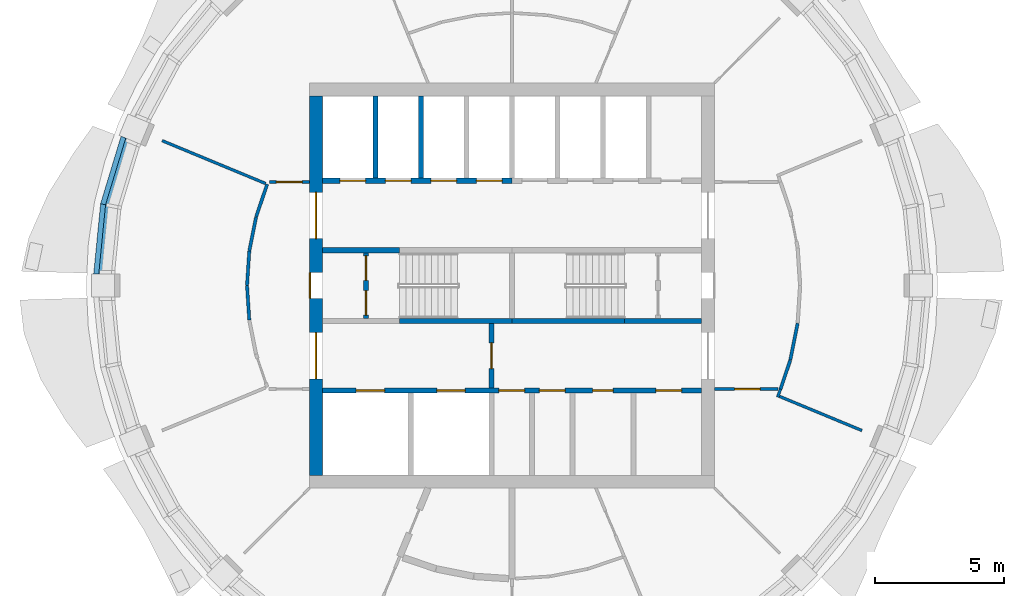
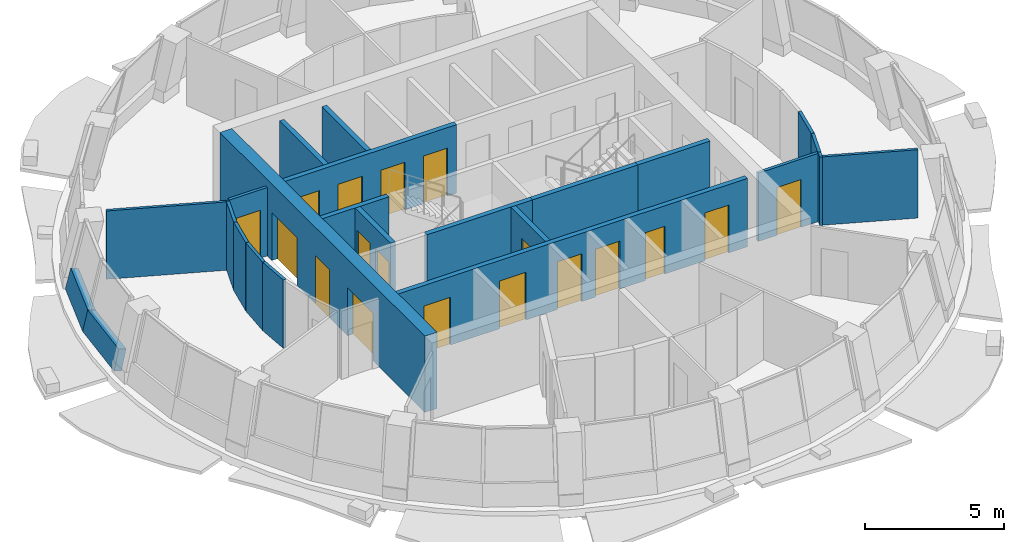
# One storey, part 5 of 11: 24 walls, 18 doors, 18 openings.
"""IFC4 building model written with IfcOpenShell, lengths in metres."""

from ifc_helpers import new_model, si_unit, direction, frame, frame_2d, origin, place, context, subcontext, project, spatial, polyline, rectangle, outline, extrude, material, layer, layer_set, type_object, element, fill, save


model = new_model("IFC4")

# Units and contexts
model_context = context("Model", 3, precision=1e-05, world=origin(), true_north=direction((0.0, 1.0)))
body_context = subcontext(model_context, "Body", "Model", "MODEL_VIEW")
ifc_project = project(units=[si_unit("LENGTHUNIT", "METRE"), si_unit("AREAUNIT", "SQUARE_METRE"), si_unit("VOLUMEUNIT", "CUBIC_METRE"), si_unit("PLANEANGLEUNIT", "RADIAN"), si_unit("MASSUNIT", "GRAM", prefix="KILO")], contexts=[model_context])

# Site, building, storey
site_placement = place(None, origin())
site = spatial("IfcSite", under=ifc_project, at=site_placement, CompositionType="ELEMENT")
building_placement = place(site_placement, origin())
building = spatial("IfcBuilding", under=site, at=building_placement, Name="Polderwave Tower", CompositionType="ELEMENT")
storey_placement = place(building_placement, frame((0.0, 0.0, 214.449951171875)))
storey = spatial("IfcBuildingStorey", under=building, at=storey_placement, Name="L58", CompositionType="ELEMENT", Elevation=214.449951171875)

# Wall, openings, doors
ifc_material_1 = material(Name="Concrete C60/75", Category="concrete")
ifc_layer_1 = layer(ifc_material_1, 0.5)
ifc_layer_set_1 = layer_set([ifc_layer_1], Name="CORE WALL 500 C60/75")
wall_type_1 = type_object("IfcWallType", Name="CORE WALL 500 C60/75", PredefinedType="SHEAR", material=ifc_layer_set_1)
wall_1_placement = place(storey_placement, frame((-7.6240234375, -7.3740234375, 0.0), z_axis=(0.0, 0.0, 1.0), x_axis=(0.0, 1.0, 0.0)))
wall_1 = element("IfcWall", 1, at=wall_1_placement, inside=storey, type_object=wall_type_1, Name="ST-CORE-L58-W", PredefinedType="SHEAR", context=body_context, shape_type="SweptSolid", body=[
    extrude(rectangle(XDim=14.748046875, YDim=0.5, at=frame_2d((7.3740234375, 0.0))), origin(), (0.0, 0.0, 1.0), 3.35009765625),
])
opening_1_placement = place(wall_1_placement, frame((6.8740234375, 0.0, 0.0)))
opening_1 = element("IfcOpeningElement", 2, at=opening_1_placement, cuts=wall_1, Name="Opening L58-D20", PredefinedType="OPENING", context=body_context, shape_type="SweptSolid", body=[
    extrude(rectangle(XDim=1.0, YDim=2.10009765625, at=frame_2d((0.5, 1.050048828125))), frame((0.0, 0.260009765625, 0.0), z_axis=(0.0, -1.0, 0.0), x_axis=(1.0, 0.0, 0.0)), (0.0, 0.0, 1.0), 0.52001953125),
])
opening_2_placement = place(wall_1_placement, frame((3.74951171875, 0.0, 0.0)))
opening_2 = element("IfcOpeningElement", 3, at=opening_2_placement, cuts=wall_1, Name="Opening L58-D21", PredefinedType="OPENING", context=body_context, shape_type="SweptSolid", body=[
    extrude(rectangle(XDim=1.800048828125, YDim=2.10009765625, at=frame_2d((0.89990234375, 1.050048828125))), frame((0.0, 0.260009765625, 0.0), z_axis=(0.0, -1.0, 0.0), x_axis=(1.0, 0.0, 0.0)), (0.0, 0.0, 1.0), 0.52001953125),
])
opening_3_placement = place(wall_1_placement, frame((9.198486328125, 0.0, 0.0)))
opening_3 = element("IfcOpeningElement", 4, at=opening_3_placement, cuts=wall_1, Name="Opening L58-D22", PredefinedType="OPENING", context=body_context, shape_type="SweptSolid", body=[
    extrude(rectangle(XDim=1.800048828125, YDim=2.10009765625, at=frame_2d((0.89990234375, 1.050048828125))), frame((0.0, 0.260009765625, 0.0), z_axis=(0.0, -1.0, 0.0), x_axis=(1.0, 0.0, 0.0)), (0.0, 0.0, 1.0), 0.52001953125),
])
ifc_material_2 = material(Name="Steel fire door", Category="steel")
door_type_1 = type_object("IfcDoorType", Name="Lobby entry door pair 1800", OperationType="DOUBLE_DOOR_SINGLE_SWING", PredefinedType="DOOR", material=ifc_material_2)
door_1_placement = place(opening_2_placement, origin())
door_1 = element("IfcDoor", 5, at=door_1_placement, inside=storey, type_object=door_type_1, Name="Fire-fighting lobby entry door", OperationType="DOUBLE_DOOR_SINGLE_SWING", OverallHeight=2.10009765625, OverallWidth=1.800048828125, PredefinedType="DOOR", context=body_context, shape_type="SweptSolid", body=[
    extrude(rectangle(XDim=1.800048828125, YDim=2.10009765625, at=frame_2d((0.89990234375, 1.050048828125))), frame((0.0, 0.02490234375, 0.0), z_axis=(0.0, -1.0, 0.0), x_axis=(1.0, 0.0, 0.0)), (0.0, 0.0, 1.0), 0.050048828125),
])
fill(opening_2, door_1)
door_2_placement = place(opening_3_placement, origin())
door_2 = element("IfcDoor", 6, at=door_2_placement, inside=storey, type_object=door_type_1, Name="North lobby entry door", OperationType="DOUBLE_DOOR_SINGLE_SWING", OverallHeight=2.10009765625, OverallWidth=1.800048828125, PredefinedType="DOOR", context=body_context, shape_type="SweptSolid", body=[
    extrude(rectangle(XDim=1.800048828125, YDim=2.10009765625, at=frame_2d((0.89990234375, 1.050048828125))), frame((0.0, 0.02490234375, 0.0), z_axis=(0.0, -1.0, 0.0), x_axis=(1.0, 0.0, 0.0)), (0.0, 0.0, 1.0), 0.050048828125),
])
fill(opening_3, door_2)
door_type_2 = type_object("IfcDoorType", Name="Stair door 1000", OperationType="NOTDEFINED", PredefinedType="DOOR", material=ifc_material_2)
door_3_placement = place(opening_1_placement, origin())
door_3 = element("IfcDoor", 7, at=door_3_placement, inside=storey, type_object=door_type_2, Name="Stair A entry door", OperationType="SINGLE_SWING_RIGHT", OverallHeight=2.10009765625, OverallWidth=1.0, PredefinedType="DOOR", context=body_context, shape_type="SweptSolid", body=[
    extrude(rectangle(XDim=1.0, YDim=2.10009765625, at=frame_2d((0.5, 1.050048828125))), frame((0.0, 0.25, 0.0), z_axis=(0.0, -1.0, 0.0), x_axis=(1.0, 0.0, 0.0)), (0.0, 0.0, 1.0), 0.050048828125),
])
fill(opening_1, door_3)

# Walls
ifc_material_3 = material(Name="Concrete C50/60 (board-marked)", Category="concrete")
ifc_layer_2 = layer(ifc_material_3, 0.300048828125)
ifc_layer_set_2 = layer_set([ifc_layer_2], Name="Concrete spandrel upstand C50/60")
wall_type_2 = type_object("IfcWallType", Name="Concrete spandrel upstand C50/60", PredefinedType="SOLIDWALL", material=ifc_layer_set_2)
wall_2_placement = place(storey_placement, frame((-15.1962890625, 5.8046875, 0.0), z_axis=(-0.935121689346, 0.283687617525, 0.212294045554), x_axis=(-0.290305949635, -0.956933882554, -5.166321e-06)))
element("IfcWall", 8, at=wall_2_placement, inside=storey, type_object=wall_type_2, Name="Spandrel L58 8a", PredefinedType="SOLIDWALL", context=body_context, shape_type="SweptSolid", body=[
    extrude(outline(polyline([(0.0, 0.0), (2.741370108362449, 5.551115123125783e-17), (2.721819555930654, 0.921157566446272), (0.01952543967357733, 0.9211287867171416), (0.0, 0.0)])), origin(), (0.0, 0.0, -1.0), 0.300048828125),
])
wall_3_placement = place(storey_placement, frame((-15.9921875, 3.181396484375, 0.0), z_axis=(-0.972452991972, 0.095777528292, 0.212513160717), x_axis=(-0.098017468169, -0.995184694371, -4.940706e-06)))
element("IfcWall", 9, at=wall_3_placement, inside=storey, type_object=wall_type_2, Name="Spandrel L58 8b", PredefinedType="SOLIDWALL", context=body_context, shape_type="SweptSolid", body=[
    extrude(outline(polyline([(0.0, 0.0), (2.7417239689303967, 6.938893903907228e-18), (2.7224319045439445, 0.9212018391941157), (0.019236323432608737, 0.921174308599514), (0.0, 0.0)])), origin(), (0.0, 0.0, -1.0), 0.300048828125),
])

# Wall, opening, door
ifc_material_4 = material(Name="Gypsum board partition")
ifc_layer_3 = layer(ifc_material_4, 0.199951171875)
ifc_layer_set_3 = layer_set([ifc_layer_3], Name="Core room partition 200")
wall_type_3 = type_object("IfcWallType", Name="Core room partition 200", PredefinedType="PARTITIONING", material=ifc_layer_set_3)
wall_4_placement = place(storey_placement, frame((-0.800048828125, -3.97412109375, 0.0), z_axis=(0.0, 0.0, 1.0), x_axis=(0.0, 1.0, 0.0)))
wall_4 = element("IfcWall", 10, at=wall_4_placement, inside=storey, type_object=wall_type_3, Name="L58 fire-fighting lobby wall", PredefinedType="PARTITIONING", context=body_context, shape_type="SweptSolid", body=[
    extrude(rectangle(XDim=2.4990234375, YDim=0.199951171875, at=frame_2d((1.24951171875, 0.0))), origin(), (0.0, 0.0, 1.0), 3.0),
])
opening_4_placement = place(wall_4_placement, frame((0.74951171875, 0.0, 0.0)))
opening_4 = element("IfcOpeningElement", 11, at=opening_4_placement, cuts=wall_4, Name="Opening L58-D14", PredefinedType="OPENING", context=body_context, shape_type="SweptSolid", body=[
    extrude(rectangle(XDim=1.0, YDim=2.10009765625, at=frame_2d((0.5, 1.050048828125))), frame((0.0, 0.10986328125, 0.0), z_axis=(0.0, -1.0, 0.0), x_axis=(1.0, 0.0, 0.0)), (0.0, 0.0, 1.0), 0.219970703125),
])
door_type_3 = type_object("IfcDoorType", Name="Lobby fire door 1000", OperationType="NOTDEFINED", PredefinedType="DOOR", material=ifc_material_2)
door_4_placement = place(opening_4_placement, frame((1.0, 0.0, 0.0), z_axis=(0.0, 0.0, 1.0), x_axis=(-1.0, 0.0, 0.0)))
door_4 = element("IfcDoor", 12, at=door_4_placement, inside=storey, type_object=door_type_3, Name="Fire-fighting lobby door", OperationType="SINGLE_SWING_LEFT", OverallHeight=2.10009765625, OverallWidth=1.0, PredefinedType="DOOR", context=body_context, shape_type="SweptSolid", body=[
    extrude(rectangle(XDim=1.0, YDim=2.10009765625, at=frame_2d((0.5, 1.050048828125))), frame((0.0, 0.02490234375, 0.0), z_axis=(0.0, -1.0, 0.0), x_axis=(1.0, 0.0, 0.0)), (0.0, 0.0, 1.0), 0.050048828125),
])
fill(opening_4, door_4)

# Wall, openings, doors
wall_5_placement = place(storey_placement, frame((-5.674072265625, -1.27490234375, 0.0), z_axis=(0.0, 0.0, 1.0), x_axis=(0.0, 1.0, 0.0)))
wall_5 = element("IfcWall", 13, at=wall_5_placement, inside=storey, type_object=wall_type_3, Name="L58 smoke lobby wall A", PredefinedType="PARTITIONING", context=body_context, shape_type="SweptSolid", body=[
    extrude(rectangle(XDim=2.5498046875, YDim=0.199951171875, at=frame_2d((1.27490234375, 0.0))), origin(), (0.0, 0.0, 1.0), 3.0),
])
opening_5_placement = place(wall_5_placement, frame((0.125, 0.0, 0.0)))
opening_5 = element("IfcOpeningElement", 14, at=opening_5_placement, cuts=wall_5, Name="Opening L58-D10", PredefinedType="OPENING", context=body_context, shape_type="SweptSolid", body=[
    extrude(rectangle(XDim=0.949951171875, YDim=2.10009765625, at=frame_2d((0.47509765625, 1.050048828125))), frame((0.0, 0.10986328125, 0.0), z_axis=(0.0, -1.0, 0.0), x_axis=(1.0, 0.0, 0.0)), (0.0, 0.0, 1.0), 0.219970703125),
])
opening_6_placement = place(wall_5_placement, frame((1.47509765625, 0.0, 0.0)))
opening_6 = element("IfcOpeningElement", 15, at=opening_6_placement, cuts=wall_5, Name="Opening L58-D11", PredefinedType="OPENING", context=body_context, shape_type="SweptSolid", body=[
    extrude(rectangle(XDim=0.949951171875, YDim=2.10009765625, at=frame_2d((0.47509765625, 1.050048828125))), frame((0.0, 0.10986328125, 0.0), z_axis=(0.0, -1.0, 0.0), x_axis=(1.0, 0.0, 0.0)), (0.0, 0.0, 1.0), 0.219970703125),
])
door_type_4 = type_object("IfcDoorType", Name="Smoke lobby door 950", OperationType="NOTDEFINED", PredefinedType="DOOR", material=ifc_material_2)
door_5_placement = place(opening_5_placement, origin())
door_5 = element("IfcDoor", 16, at=door_5_placement, inside=storey, type_object=door_type_4, Name="Stair A smoke lobby inner door", OperationType="SINGLE_SWING_LEFT", OverallHeight=2.10009765625, OverallWidth=0.949951171875, PredefinedType="DOOR", context=body_context, shape_type="SweptSolid", body=[
    extrude(rectangle(XDim=0.949951171875, YDim=2.10009765625, at=frame_2d((0.47509765625, 1.050048828125))), frame((0.0, 0.02490234375, 0.0), z_axis=(0.0, -1.0, 0.0), x_axis=(1.0, 0.0, 0.0)), (0.0, 0.0, 1.0), 0.050048828125),
])
fill(opening_5, door_5)
door_6_placement = place(opening_6_placement, origin())
door_6 = element("IfcDoor", 17, at=door_6_placement, inside=storey, type_object=door_type_4, Name="Stair A smoke lobby inner door", OperationType="SINGLE_SWING_RIGHT", OverallHeight=2.10009765625, OverallWidth=0.949951171875, PredefinedType="DOOR", context=body_context, shape_type="SweptSolid", body=[
    extrude(rectangle(XDim=0.949951171875, YDim=2.10009765625, at=frame_2d((0.47509765625, 1.050048828125))), frame((0.0, 0.02490234375, 0.0), z_axis=(0.0, -1.0, 0.0), x_axis=(1.0, 0.0, 0.0)), (0.0, 0.0, 1.0), 0.050048828125),
])
fill(opening_6, door_6)

ifc_material_5 = material(Name="Concrete C50/60", Category="concrete")
ifc_layer_4 = layer(ifc_material_5, 0.199951171875)
ifc_layer_set_4 = layer_set([ifc_layer_4], Name="Core web wall 200")
wall_type_4 = type_object("IfcWallType", Name="Core web wall 200", PredefinedType="SHEAR", material=ifc_layer_set_4)
wall_6_placement = place(storey_placement, frame((-7.3740234375, -4.073974609375, 0.0), z_axis=(0.0, 0.0, 1.0), x_axis=(1.0, 0.0, 0.0)))
wall_6 = element("IfcWall", 18, at=wall_6_placement, inside=storey, type_object=wall_type_4, Name="L58 south front wall", PredefinedType="SHEAR", context=body_context, shape_type="SweptSolid", body=[
    extrude(rectangle(XDim=14.748046875, YDim=0.199951171875, at=frame_2d((7.3740234375, 0.0))), origin(), (0.0, 0.0, 1.0), 3.0),
])
opening_7_placement = place(wall_6_placement, frame((1.318603515625, 0.0, 0.0)))
opening_7 = element("IfcOpeningElement", 19, at=opening_7_placement, cuts=wall_6, Name="Opening L58-D01", PredefinedType="OPENING", context=body_context, shape_type="SweptSolid", body=[
    extrude(rectangle(XDim=1.10009765625, YDim=2.10009765625, at=frame_2d((0.550048828125, 1.050048828125))), frame((0.0, 0.10986328125, 0.0), z_axis=(0.0, -1.0, 0.0), x_axis=(1.0, 0.0, 0.0)), (0.0, 0.0, 1.0), 0.219970703125),
])
opening_8_placement = place(wall_6_placement, frame((4.45556640625, 0.0, 0.0)))
opening_8 = element("IfcOpeningElement", 20, at=opening_8_placement, cuts=wall_6, Name="Opening L58-D02", PredefinedType="OPENING", context=body_context, shape_type="SweptSolid", body=[
    extrude(rectangle(XDim=1.10009765625, YDim=2.10009765625, at=frame_2d((0.550048828125, 1.050048828125))), frame((0.0, 0.10986328125, 0.0), z_axis=(0.0, -1.0, 0.0), x_axis=(1.0, 0.0, 0.0)), (0.0, 0.0, 1.0), 0.219970703125),
])
opening_9_placement = place(wall_6_placement, frame((6.8623046875, 0.0, 0.0)))
opening_9 = element("IfcOpeningElement", 21, at=opening_9_placement, cuts=wall_6, Name="Opening L58-D15", PredefinedType="OPENING", context=body_context, shape_type="SweptSolid", body=[
    extrude(rectangle(XDim=1.0, YDim=2.10009765625, at=frame_2d((0.5, 1.050048828125))), frame((0.0, 0.10986328125, 0.0), z_axis=(0.0, -1.0, 0.0), x_axis=(1.0, 0.0, 0.0)), (0.0, 0.0, 1.0), 0.219970703125),
])
opening_10_placement = place(wall_6_placement, frame((8.439208984375, 0.0, 0.0)))
opening_10 = element("IfcOpeningElement", 22, at=opening_10_placement, cuts=wall_6, Name="Opening L58-D16", PredefinedType="OPENING", context=body_context, shape_type="SweptSolid", body=[
    extrude(rectangle(XDim=1.0, YDim=2.10009765625, at=frame_2d((0.5, 1.050048828125))), frame((0.0, 0.10986328125, 0.0), z_axis=(0.0, -1.0, 0.0), x_axis=(1.0, 0.0, 0.0)), (0.0, 0.0, 1.0), 0.219970703125),
])
opening_11_placement = place(wall_6_placement, frame((10.50927734375, 0.0, 0.0)))
opening_11 = element("IfcOpeningElement", 23, at=opening_11_placement, cuts=wall_6, Name="Opening L58-D17", PredefinedType="OPENING", context=body_context, shape_type="SweptSolid", body=[
    extrude(rectangle(XDim=0.800048828125, YDim=2.10009765625, at=frame_2d((0.39990234375, 1.050048828125))), frame((0.0, 0.10986328125, 0.0), z_axis=(0.0, -1.0, 0.0), x_axis=(1.0, 0.0, 0.0)), (0.0, 0.0, 1.0), 0.219970703125),
])
opening_12_placement = place(wall_6_placement, frame((12.969482421875, 0.0, 0.0)))
opening_12 = element("IfcOpeningElement", 24, at=opening_12_placement, cuts=wall_6, Name="Opening L58-D18", PredefinedType="OPENING", context=body_context, shape_type="SweptSolid", body=[
    extrude(rectangle(XDim=1.0, YDim=2.10009765625, at=frame_2d((0.5, 1.050048828125))), frame((0.0, 0.10986328125, 0.0), z_axis=(0.0, -1.0, 0.0), x_axis=(1.0, 0.0, 0.0)), (0.0, 0.0, 1.0), 0.219970703125),
])
ifc_material_6 = material(Name="Timber door leaf", Category="wood")
door_type_5 = type_object("IfcDoorType", Name="Accessible WC door 1000", OperationType="NOTDEFINED", PredefinedType="DOOR", material=ifc_material_6)
door_7_placement = place(opening_9_placement, frame((1.0, 0.0, 0.0), z_axis=(0.0, 0.0, 1.0), x_axis=(-1.0, 0.0, 0.0)))
door_7 = element("IfcDoor", 25, at=door_7_placement, inside=storey, type_object=door_type_5, Name="Accessible WC door", OperationType="SINGLE_SWING_RIGHT", OverallHeight=2.10009765625, OverallWidth=1.0, PredefinedType="DOOR", context=body_context, shape_type="SweptSolid", body=[
    extrude(rectangle(XDim=1.0, YDim=2.10009765625, at=frame_2d((0.5, 1.050048828125))), frame((0.0, 0.02490234375, 0.0), z_axis=(0.0, -1.0, 0.0), x_axis=(1.0, 0.0, 0.0)), (0.0, 0.0, 1.0), 0.050048828125),
])
fill(opening_9, door_7)
ifc_material_7 = material(Name="Stainless steel", Category="steel")
door_type_6 = type_object("IfcDoorType", Name="Fire-fighting lift landing door 1100", OperationType="DOUBLE_DOOR_SLIDING", PredefinedType="DOOR", material=ifc_material_7)
door_8_placement = place(opening_7_placement, origin())
door_8 = element("IfcDoor", 26, at=door_8_placement, inside=storey, type_object=door_type_6, Name="Fire-fighting lift FF1 landing door", OperationType="DOUBLE_DOOR_SLIDING", OverallHeight=2.10009765625, OverallWidth=1.10009765625, PredefinedType="DOOR", context=body_context, shape_type="SweptSolid", body=[
    extrude(rectangle(XDim=1.10009765625, YDim=2.10009765625, at=frame_2d((0.550048828125, 1.050048828125))), frame((0.0, 0.02490234375, 0.0), z_axis=(0.0, -1.0, 0.0), x_axis=(1.0, 0.0, 0.0)), (0.0, 0.0, 1.0), 0.050048828125),
])
fill(opening_7, door_8)
door_9_placement = place(opening_8_placement, origin())
door_9 = element("IfcDoor", 27, at=door_9_placement, inside=storey, type_object=door_type_6, Name="Fire-fighting lift FF2 landing door", OperationType="DOUBLE_DOOR_SLIDING", OverallHeight=2.10009765625, OverallWidth=1.10009765625, PredefinedType="DOOR", context=body_context, shape_type="SweptSolid", body=[
    extrude(rectangle(XDim=1.10009765625, YDim=2.10009765625, at=frame_2d((0.550048828125, 1.050048828125))), frame((0.0, 0.02490234375, 0.0), z_axis=(0.0, -1.0, 0.0), x_axis=(1.0, 0.0, 0.0)), (0.0, 0.0, 1.0), 0.050048828125),
])
fill(opening_8, door_9)
door_type_7 = type_object("IfcDoorType", Name="Riser door 800", OperationType="NOTDEFINED", PredefinedType="DOOR", material=ifc_material_2)
door_10_placement = place(opening_11_placement, origin())
door_10 = element("IfcDoor", 28, at=door_10_placement, inside=storey, type_object=door_type_7, Name="Electrical room door", OperationType="SINGLE_SWING_RIGHT", OverallHeight=2.10009765625, OverallWidth=0.800048828125, PredefinedType="DOOR", context=body_context, shape_type="SweptSolid", body=[
    extrude(rectangle(XDim=0.800048828125, YDim=2.10009765625, at=frame_2d((0.39990234375, 1.050048828125))), frame((0.0, 0.02490234375, 0.0), z_axis=(0.0, -1.0, 0.0), x_axis=(1.0, 0.0, 0.0)), (0.0, 0.0, 1.0), 0.050048828125),
])
fill(opening_11, door_10)
door_type_8 = type_object("IfcDoorType", Name="Room door 1000", OperationType="NOTDEFINED", PredefinedType="DOOR", material=ifc_material_6)
door_11_placement = place(opening_10_placement, frame((1.0, 0.0, 0.0), z_axis=(0.0, 0.0, 1.0), x_axis=(-1.0, 0.0, 0.0)))
door_11 = element("IfcDoor", 29, at=door_11_placement, inside=storey, type_object=door_type_8, Name="Staff WC door", OperationType="SINGLE_SWING_LEFT", OverallHeight=2.10009765625, OverallWidth=1.0, PredefinedType="DOOR", context=body_context, shape_type="SweptSolid", body=[
    extrude(rectangle(XDim=1.0, YDim=2.10009765625, at=frame_2d((0.5, 1.050048828125))), frame((0.0, 0.02490234375, 0.0), z_axis=(0.0, -1.0, 0.0), x_axis=(1.0, 0.0, 0.0)), (0.0, 0.0, 1.0), 0.050048828125),
])
fill(opening_10, door_11)
door_12_placement = place(opening_12_placement, frame((1.0, 0.0, 0.0), z_axis=(0.0, 0.0, 1.0), x_axis=(-1.0, 0.0, 0.0)))
door_12 = element("IfcDoor", 30, at=door_12_placement, inside=storey, type_object=door_type_8, Name="Store door", OperationType="SINGLE_SWING_LEFT", OverallHeight=2.10009765625, OverallWidth=1.0, PredefinedType="DOOR", context=body_context, shape_type="SweptSolid", body=[
    extrude(rectangle(XDim=1.0, YDim=2.10009765625, at=frame_2d((0.5, 1.050048828125))), frame((0.0, 0.02490234375, 0.0), z_axis=(0.0, -1.0, 0.0), x_axis=(1.0, 0.0, 0.0)), (0.0, 0.0, 1.0), 0.050048828125),
])
fill(opening_12, door_12)

wall_7_placement = place(storey_placement, frame((-7.3740234375, 4.073974609375, 0.0), z_axis=(0.0, 0.0, 1.0), x_axis=(1.0, 0.0, 0.0)))
wall_7 = element("IfcWall", 31, at=wall_7_placement, inside=storey, type_object=wall_type_4, Name="L58 north front wall 1", PredefinedType="SHEAR", context=body_context, shape_type="SweptSolid", body=[
    extrude(rectangle(XDim=7.3740234375, YDim=0.199951171875, at=frame_2d((3.68701171875, 0.0))), origin(), (0.0, 0.0, 1.0), 3.0),
])
opening_13_placement = place(wall_7_placement, frame((0.68408203125, 0.0, 0.0)))
opening_13 = element("IfcOpeningElement", 32, at=opening_13_placement, cuts=wall_7, Name="Opening L58-D03", PredefinedType="OPENING", context=body_context, shape_type="SweptSolid", body=[
    extrude(rectangle(XDim=1.0, YDim=2.10009765625, at=frame_2d((0.5, 1.050048828125))), frame((0.0, 0.10986328125, 0.0), z_axis=(0.0, -1.0, 0.0), x_axis=(1.0, 0.0, 0.0)), (0.0, 0.0, 1.0), 0.219970703125),
])
opening_14_placement = place(wall_7_placement, frame((2.45263671875, 0.0, 0.0)))
opening_14 = element("IfcOpeningElement", 33, at=opening_14_placement, cuts=wall_7, Name="Opening L58-D04", PredefinedType="OPENING", context=body_context, shape_type="SweptSolid", body=[
    extrude(rectangle(XDim=1.0, YDim=2.10009765625, at=frame_2d((0.5, 1.050048828125))), frame((0.0, 0.10986328125, 0.0), z_axis=(0.0, -1.0, 0.0), x_axis=(1.0, 0.0, 0.0)), (0.0, 0.0, 1.0), 0.219970703125),
])
opening_15_placement = place(wall_7_placement, frame((4.22119140625, 0.0, 0.0)))
opening_15 = element("IfcOpeningElement", 34, at=opening_15_placement, cuts=wall_7, Name="Opening L58-D05", PredefinedType="OPENING", context=body_context, shape_type="SweptSolid", body=[
    extrude(rectangle(XDim=1.0, YDim=2.10009765625, at=frame_2d((0.5, 1.050048828125))), frame((0.0, 0.10986328125, 0.0), z_axis=(0.0, -1.0, 0.0), x_axis=(1.0, 0.0, 0.0)), (0.0, 0.0, 1.0), 0.219970703125),
])
opening_16_placement = place(wall_7_placement, frame((5.98974609375, 0.0, 0.0)))
opening_16 = element("IfcOpeningElement", 35, at=opening_16_placement, cuts=wall_7, Name="Opening L58-D06", PredefinedType="OPENING", context=body_context, shape_type="SweptSolid", body=[
    extrude(rectangle(XDim=1.0, YDim=2.10009765625, at=frame_2d((0.5, 1.050048828125))), frame((0.0, 0.10986328125, 0.0), z_axis=(0.0, -1.0, 0.0), x_axis=(1.0, 0.0, 0.0)), (0.0, 0.0, 1.0), 0.219970703125),
])
door_type_9 = type_object("IfcDoorType", Name="Lift landing door 1000", OperationType="DOUBLE_DOOR_SLIDING", PredefinedType="DOOR", material=ifc_material_7)
door_13_placement = place(opening_13_placement, frame((1.0, 0.0, 0.0), z_axis=(0.0, 0.0, 1.0), x_axis=(-1.0, 0.0, 0.0)))
door_13 = element("IfcDoor", 36, at=door_13_placement, inside=storey, type_object=door_type_9, Name="Lift HL1 landing door", OperationType="DOUBLE_DOOR_SLIDING", OverallHeight=2.10009765625, OverallWidth=1.0, PredefinedType="DOOR", context=body_context, shape_type="SweptSolid", body=[
    extrude(rectangle(XDim=1.0, YDim=2.10009765625, at=frame_2d((0.5, 1.050048828125))), frame((0.0, 0.02490234375, 0.0), z_axis=(0.0, -1.0, 0.0), x_axis=(1.0, 0.0, 0.0)), (0.0, 0.0, 1.0), 0.050048828125),
])
fill(opening_13, door_13)
door_14_placement = place(opening_14_placement, frame((1.0, 0.0, 0.0), z_axis=(0.0, 0.0, 1.0), x_axis=(-1.0, 0.0, 0.0)))
door_14 = element("IfcDoor", 37, at=door_14_placement, inside=storey, type_object=door_type_9, Name="Lift HL2 landing door", OperationType="DOUBLE_DOOR_SLIDING", OverallHeight=2.10009765625, OverallWidth=1.0, PredefinedType="DOOR", context=body_context, shape_type="SweptSolid", body=[
    extrude(rectangle(XDim=1.0, YDim=2.10009765625, at=frame_2d((0.5, 1.050048828125))), frame((0.0, 0.02490234375, 0.0), z_axis=(0.0, -1.0, 0.0), x_axis=(1.0, 0.0, 0.0)), (0.0, 0.0, 1.0), 0.050048828125),
])
fill(opening_14, door_14)
door_15_placement = place(opening_15_placement, frame((1.0, 0.0, 0.0), z_axis=(0.0, 0.0, 1.0), x_axis=(-1.0, 0.0, 0.0)))
door_15 = element("IfcDoor", 38, at=door_15_placement, inside=storey, type_object=door_type_9, Name="Lift HL3 landing door", OperationType="DOUBLE_DOOR_SLIDING", OverallHeight=2.10009765625, OverallWidth=1.0, PredefinedType="DOOR", context=body_context, shape_type="SweptSolid", body=[
    extrude(rectangle(XDim=1.0, YDim=2.10009765625, at=frame_2d((0.5, 1.050048828125))), frame((0.0, 0.02490234375, 0.0), z_axis=(0.0, -1.0, 0.0), x_axis=(1.0, 0.0, 0.0)), (0.0, 0.0, 1.0), 0.050048828125),
])
fill(opening_15, door_15)
door_16_placement = place(opening_16_placement, frame((1.0, 0.0, 0.0), z_axis=(0.0, 0.0, 1.0), x_axis=(-1.0, 0.0, 0.0)))
door_16 = element("IfcDoor", 39, at=door_16_placement, inside=storey, type_object=door_type_9, Name="Lift HL4 landing door", OperationType="DOUBLE_DOOR_SLIDING", OverallHeight=2.10009765625, OverallWidth=1.0, PredefinedType="DOOR", context=body_context, shape_type="SweptSolid", body=[
    extrude(rectangle(XDim=1.0, YDim=2.10009765625, at=frame_2d((0.5, 1.050048828125))), frame((0.0, 0.02490234375, 0.0), z_axis=(0.0, -1.0, 0.0), x_axis=(1.0, 0.0, 0.0)), (0.0, 0.0, 1.0), 0.050048828125),
])
fill(opening_16, door_16)

# Walls
for number, where, z_axis, x_axis, name in (
    (40, (-4.3740234375, -1.375, 0.0), (0.0, 0.0, 1.0), (1.0, 0.0, 0.0), "L58 south stair wall 2"),
    (41, (0.0, -1.375, 0.0), (0.0, 0.0, 1.0), (1.0, 0.0, 0.0), "L58 south stair wall 3"),
):
    element("IfcWall", number, at=place(storey_placement, frame(where, z_axis=z_axis, x_axis=x_axis)), inside=storey, type_object=wall_type_4, Name=name, PredefinedType="SHEAR", context=body_context, shape_type="SweptSolid", body=[
        extrude(rectangle(XDim=4.3740234375, YDim=0.199951171875, at=frame_2d((2.18701171875, 0.0))), origin(), (0.0, 0.0, 1.0), 3.0),
    ])
for number, where, z_axis, x_axis, name in (
    (42, (4.3740234375, -1.375, 0.0), (0.0, 0.0, 1.0), (1.0, 0.0, 0.0), "L58 south stair wall 4"),
    (43, (-7.3740234375, 1.375, 0.0), (0.0, 0.0, 1.0), (1.0, 0.0, 0.0), "L58 north stair wall 1"),
):
    element("IfcWall", number, at=place(storey_placement, frame(where, z_axis=z_axis, x_axis=x_axis)), inside=storey, type_object=wall_type_4, Name=name, PredefinedType="SHEAR", context=body_context, shape_type="SweptSolid", body=[
        extrude(rectangle(XDim=3.0, YDim=0.199951171875, at=frame_2d((1.5, 0.0))), origin(), (0.0, 0.0, 1.0), 3.0),
    ])
ifc_material_8 = material(Name="Fire-resisting board on steel studs", Category="steel")
ifc_layer_5 = layer(ifc_material_8, 0.125)
ifc_layer_set_5 = layer_set([ifc_layer_5], Name="Corridor wall 125 mm EI 60")
wall_type_5 = type_object("IfcWallType", Name="Corridor wall 125 mm EI 60", PredefinedType="PARTITIONING", material=ifc_layer_set_5)
wall_8_placement = place(storey_placement, frame((10.817138671875, -2.902587890625, 0.0), z_axis=(0.0, 0.0, 1.0), x_axis=(-0.321477840896, -0.94691710187, 0.0)))
element("IfcWall", 44, at=wall_8_placement, inside=storey, type_object=wall_type_5, Name="IN-L58-W002", PredefinedType="PARTITIONING", context=body_context, shape_type="SweptSolid", body=[
    extrude(rectangle(XDim=1.184814453125, YDim=0.125, at=frame_2d((0.59228515625, 0.0))), origin(), (0.0, 0.0, 1.0), 3.0),
])
wall_9_placement = place(storey_placement, frame((11.103515625, -1.4658203125, 0.0), z_axis=(0.0, 0.0, 1.0), x_axis=(-0.19521377649, -0.980760715704, 0.0)))
element("IfcWall", 45, at=wall_9_placement, inside=storey, type_object=wall_type_5, Name="IN-L58-W004", PredefinedType="PARTITIONING", context=body_context, shape_type="SweptSolid", body=[
    extrude(rectangle(XDim=1.45703125, YDim=0.125, at=frame_2d((0.728515625, 0.0))), origin(), (0.0, 0.0, 1.0), 3.0),
])

# Wall, opening, door
wall_10_placement = place(storey_placement, frame((10.34912109375, -4.0244140625, 0.0), z_axis=(0.0, 0.0, 1.0), x_axis=(-1.0, 0.0, 0.0)))
wall_10 = element("IfcWall", 46, at=wall_10_placement, inside=storey, type_object=wall_type_5, Name="IN-L58-W008", PredefinedType="PARTITIONING", context=body_context, shape_type="SweptSolid", body=[
    extrude(rectangle(XDim=2.47509765625, YDim=0.125, at=frame_2d((1.237548828125, 0.0))), origin(), (0.0, 0.0, 1.0), 3.0),
])
opening_17_placement = place(wall_10_placement, frame((0.699951171875, 0.0, 0.0)))
opening_17 = element("IfcOpeningElement", 47, at=opening_17_placement, cuts=wall_10, Name="Opening L58-D52", PredefinedType="OPENING", context=body_context, shape_type="SweptSolid", body=[
    extrude(rectangle(XDim=1.0, YDim=2.10009765625, at=frame_2d((0.5, 1.050048828125))), frame((0.0, 0.072509765625, 0.0), z_axis=(0.0, -1.0, 0.0), x_axis=(1.0, 0.0, 0.0)), (0.0, 0.0, 1.0), 0.14501953125),
])
ifc_material_9 = material(Name="Timber fire door leaf", Category="wood")
door_type_10 = type_object("IfcDoorType", Name="Fire door FD30S 1000 x 2100", OperationType="NOTDEFINED", PredefinedType="DOOR", material=ifc_material_9)
door_17_placement = place(opening_17_placement, origin())
door_17 = element("IfcDoor", 48, at=door_17_placement, inside=storey, type_object=door_type_10, Name="Door L58-D52", OperationType="SINGLE_SWING_LEFT", OverallHeight=2.10009765625, OverallWidth=1.0, PredefinedType="DOOR", context=body_context, shape_type="SweptSolid", body=[
    extrude(rectangle(XDim=1.0, YDim=2.10009765625, at=frame_2d((0.5, 1.050048828125))), frame((0.0, 0.02490234375, 0.0), z_axis=(0.0, -1.0, 0.0), x_axis=(1.0, 0.0, 0.0)), (0.0, 0.0, 1.0), 0.050048828125),
])
fill(opening_17, door_17)

wall_11_placement = place(storey_placement, frame((-9.436279296875, 4.0244140625, 0.0), z_axis=(0.0, 0.0, 1.0), x_axis=(1.0, 0.0, 0.0)))
wall_11 = element("IfcWall", 49, at=wall_11_placement, inside=storey, type_object=wall_type_5, Name="IN-L58-W009", PredefinedType="PARTITIONING", context=body_context, shape_type="SweptSolid", body=[
    extrude(rectangle(XDim=1.562255859375, YDim=0.125, at=frame_2d((0.78125, 0.0))), origin(), (0.0, 0.0, 1.0), 3.0),
])
opening_18_placement = place(wall_11_placement, frame((0.281005859375, 0.0, 0.0)))
opening_18 = element("IfcOpeningElement", 50, at=opening_18_placement, cuts=wall_11, Name="Opening L58-D53", PredefinedType="OPENING", context=body_context, shape_type="SweptSolid", body=[
    extrude(rectangle(XDim=1.0, YDim=2.10009765625, at=frame_2d((0.5, 1.050048828125))), frame((0.0, 0.072509765625, 0.0), z_axis=(0.0, -1.0, 0.0), x_axis=(1.0, 0.0, 0.0)), (0.0, 0.0, 1.0), 0.14501953125),
])
door_18_placement = place(opening_18_placement, origin())
door_18 = element("IfcDoor", 51, at=door_18_placement, inside=storey, type_object=door_type_10, Name="Door L58-D53", OperationType="SINGLE_SWING_LEFT", OverallHeight=2.10009765625, OverallWidth=1.0, PredefinedType="DOOR", context=body_context, shape_type="SweptSolid", body=[
    extrude(rectangle(XDim=1.0, YDim=2.10009765625, at=frame_2d((0.5, 1.050048828125))), frame((0.0, 0.02490234375, 0.0), z_axis=(0.0, -1.0, 0.0), x_axis=(1.0, 0.0, 0.0)), (0.0, 0.0, 1.0), 0.050048828125),
])
fill(opening_18, door_18)

# Walls
for number, where, z_axis, x_axis, name in (
    (52, (-10.2998046875, 0.004150390625, 0.0), (0.0, 0.0, 1.0), (0.065454075316, 0.99785558275, 0.0), "IN-L58-W010"),
    (53, (-10.212158203125, -1.34033203125, 0.0), (0.0, 0.0, 1.0), (-0.065454075316, 0.99785558275, 0.0), "IN-L58-W011"),
):
    element("IfcWall", number, at=place(storey_placement, frame(where, z_axis=z_axis, x_axis=x_axis)), inside=storey, type_object=wall_type_5, Name=name, PredefinedType="PARTITIONING", context=body_context, shape_type="SweptSolid", body=[
        extrude(rectangle(XDim=1.339111328125, YDim=0.125, at=frame_2d((0.66943359375, 0.0))), origin(), (0.0, 0.0, 1.0), 3.0),
    ])
wall_12_placement = place(storey_placement, frame((-10.211181640625, 1.348388671875, 0.0), z_axis=(0.0, 0.0, 1.0), x_axis=(0.195239630967, 0.980755569191, 0.0)))
element("IfcWall", 54, at=wall_12_placement, inside=storey, type_object=wall_type_5, Name="IN-L58-W012", PredefinedType="PARTITIONING", context=body_context, shape_type="SweptSolid", body=[
    extrude(rectangle(XDim=1.33935546875, YDim=0.125, at=frame_2d((0.669677734375, 0.0))), origin(), (0.0, 0.0, 1.0), 3.0),
])
wall_13_placement = place(storey_placement, frame((-9.94775390625, 2.669677734375, 0.0), z_axis=(0.0, 0.0, 1.0), x_axis=(0.321348735565, 0.946960923244, 0.0)))
element("IfcWall", 55, at=wall_13_placement, inside=storey, type_object=wall_type_5, Name="IN-L58-W014", PredefinedType="PARTITIONING", context=body_context, shape_type="SweptSolid", body=[
    extrude(rectangle(XDim=1.34326171875, YDim=0.125, at=frame_2d((0.671630859375, 0.0))), origin(), (0.0, 0.0, 1.0), 3.0),
])
ifc_material_10 = material(Name="Acoustic double plasterboard on steel studs", Category="steel")
ifc_layer_6 = layer(ifc_material_10, 0.110107421875)
ifc_layer_set_6 = layer_set([ifc_layer_6], Name="Partition 110 mm acoustic double board")
wall_type_6 = type_object("IfcWallType", Name="Partition 110 mm acoustic double board", PredefinedType="PARTITIONING", material=ifc_layer_set_6)
wall_14_placement = place(storey_placement, frame((10.329833984375, -4.338134765625, 0.0), z_axis=(0.0, 0.0, 1.0), x_axis=(0.321308145965, 0.946974696249, 0.0)))
element("IfcWall", 56, at=wall_14_placement, inside=storey, type_object=wall_type_6, Name="IN-L58-W019", PredefinedType="PARTITIONING", context=body_context, shape_type="SweptSolid", body=[
    extrude(rectangle(XDim=0.331298828125, YDim=0.110107421875, at=frame_2d((0.16552734375, 0.0))), origin(), (0.0, 0.0, 1.0), 3.0),
])
wall_15_placement = place(storey_placement, frame((13.599609375, -5.633056640625, 0.0), z_axis=(0.0, 0.0, 1.0), x_axis=(-0.923888740521, 0.382661201506, 0.0)))
element("IfcWall", 57, at=wall_15_placement, inside=storey, type_object=wall_type_6, Name="IN-L58-W020", PredefinedType="PARTITIONING", context=body_context, shape_type="SweptSolid", body=[
    extrude(rectangle(XDim=3.461181640625, YDim=0.110107421875, at=frame_2d((1.73046875, 0.0))), origin(), (0.0, 0.0, 1.0), 3.0),
])
wall_16_placement = place(storey_placement, frame((-9.5771484375, 3.967041015625, 0.0), z_axis=(0.0, 0.0, 1.0), x_axis=(-0.923891083487, 0.382655544654, 0.0)))
element("IfcWall", 58, at=wall_16_placement, inside=storey, type_object=wall_type_6, Name="IN-L58-W034", PredefinedType="PARTITIONING", context=body_context, shape_type="SweptSolid", body=[
    extrude(rectangle(XDim=4.353759765625, YDim=0.110107421875, at=frame_2d((2.1767578125, 0.0))), origin(), (0.0, 0.0, 1.0), 3.0),
])
ifc_material_11 = material(Name="Gypsum shaft wall system")
ifc_layer_7 = layer(ifc_material_11, 0.199951171875)
ifc_layer_set_7 = layer_set([ifc_layer_7], Name="Shaft wall 200")
wall_type_7 = type_object("IfcWallType", Name="Shaft wall 200", PredefinedType="PARTITIONING", material=ifc_layer_set_7)
for number, where, z_axis, x_axis, name in (
    (59, (-5.305419921875, 4.174072265625, 0.0), (0.0, 0.0, 1.0), (0.0, 1.0, 0.0), "L58 lift shaft wall N1"),
    (60, (-3.537109375, 4.174072265625, 0.0), (0.0, 0.0, 1.0), (0.0, 1.0, 0.0), "L58 lift shaft wall N2"),
):
    element("IfcWall", number, at=place(storey_placement, frame(where, z_axis=z_axis, x_axis=x_axis)), inside=storey, type_object=wall_type_7, Name=name, PredefinedType="PARTITIONING", context=body_context, shape_type="SweptSolid", body=[
        extrude(rectangle(XDim=3.199951171875, YDim=0.199951171875, at=frame_2d((1.60009765625, 0.0))), origin(), (0.0, 0.0, 1.0), 3.0),
    ])

save(model, "model.ifc")
